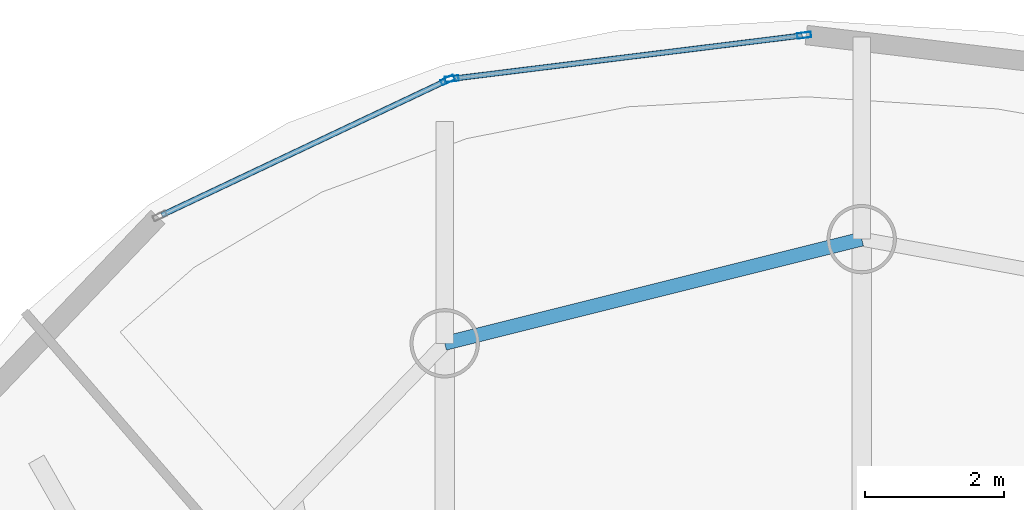
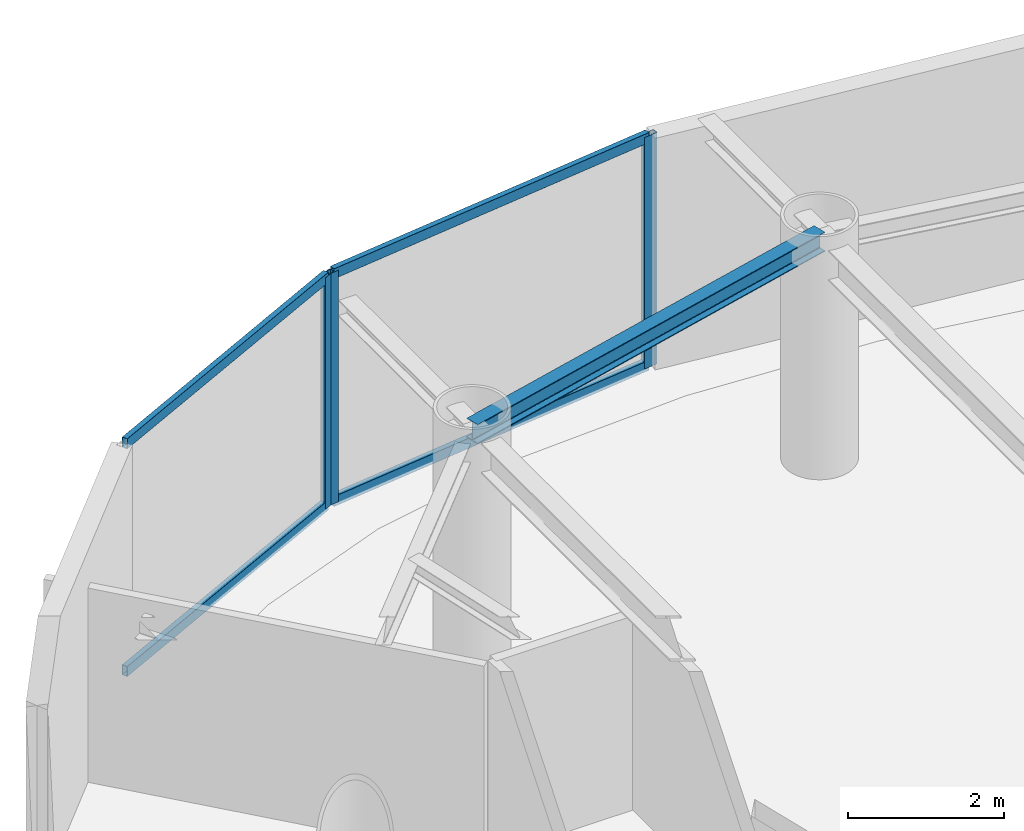
# One storey, part 12 of 21: 7 members, 1 beam, 2 elements without a shape of their own.
"""IFC4 building model written with IfcOpenShell, lengths in metres."""

from ifc_helpers import new_model, si_unit, direction, frame, origin, origin_2d, place, context, subcontext, project, spatial, hollow_rectangle, i_section, extrude, material, layer, layer_set, material_profile, profile_set, type_object, element, aggregate, save


model = new_model("IFC4")

# Units and contexts
model_context = context("Model", 3, precision=1e-05, world=origin(), true_north=direction((0.0, 1.0)))
body_context = subcontext(model_context, "Body", "Model", "MODEL_VIEW")
ifc_project = project(units=[si_unit("LENGTHUNIT", "METRE"), si_unit("AREAUNIT", "SQUARE_METRE"), si_unit("VOLUMEUNIT", "CUBIC_METRE"), si_unit("PLANEANGLEUNIT", "RADIAN"), si_unit("MASSUNIT", "GRAM", prefix="KILO")], contexts=[model_context])

# Site, building, storey
site_placement = place(None, origin())
site = spatial("IfcSite", under=ifc_project, at=site_placement, CompositionType="ELEMENT")
building_placement = place(site_placement, origin())
building = spatial("IfcBuilding", under=site, at=building_placement, Name="Bramvorn Convention Spire", CompositionType="ELEMENT")
storey_placement = place(building_placement, frame((0.0, 0.0, 249.75)))
storey = spatial("IfcBuildingStorey", under=building, at=storey_placement, Name="L63", CompositionType="ELEMENT", Elevation=249.75)

# Beam
ifc_material_1 = material(Name="Steel CSA G40.21 Grade 350 (350W)", Category="steel")
ifc_material_profile_1 = material_profile(ifc_material_1, i_section(OverallWidth=0.202880859375, OverallDepth=0.302978515625, WebThickness=0.007568359375, FlangeThickness=0.01318359375, FilletRadius=0.013916015625, at=origin_2d()))
ifc_profile_set_1 = profile_set([ifc_material_profile_1], Name="Steel CSA G40.21 Grade 350 (350W) - W310X60")
beam_type = type_object("IfcBeamType", Name="BM-W310X60", PredefinedType="JOIST", material=ifc_profile_set_1)
beam_placement = place(storey_placement, frame((32.8115234375, 46.90087890625, 3.473388671875), z_axis=(-0.970177255997, -0.24239655927, 0.0), x_axis=(0.24239655927, -0.970177255997, 0.0)))
element("IfcBeam", 1, at=beam_placement, inside=storey, type_object=beam_type, Name="L63 mega-column ring beam 08", PredefinedType="JOIST", context=body_context, shape_type="SweptSolid", body=[
    extrude(i_section(OverallWidth=0.202880859375, OverallDepth=0.302978515625, WebThickness=0.007568359375, FlangeThickness=0.01318359375, FilletRadius=0.013916015625, at=origin_2d()), origin(), (0.0, 0.0, 1.0), 6.1962890625),
])

# Curtain wall, members
ifc_material_2 = material(Name="Anodised Bronze Unitised Curtain Wall", Category="aluminium")
ifc_layer = layer(ifc_material_2, 0.179931640625)
ifc_layer_set = layer_set([ifc_layer], Name="Anodised Bronze Unitised Curtain Wall - CW-OFF-FRIT")
curtain_wall_type = type_object("IfcCurtainWallType", Name="CW-OFF-FRIT", PredefinedType="USERDEFINED", material=ifc_layer_set)
curtain_wall_1_placement = place(storey_placement, origin())
curtain_wall_1 = element("IfcCurtainWall", 2, at=curtain_wall_1_placement, inside=storey, type_object=curtain_wall_type, Name="L63 fritted glass curtain wall 11", ObjectType="UNITISED CURTAIN WALL", PredefinedType="USERDEFINED")
ifc_material_3 = material(Name="Anodised Bronze Aluminium 6063-T6", Category="aluminium")
ifc_material_profile_2 = material_profile(ifc_material_3, hollow_rectangle(XDim=0.080078125, YDim=0.199951171875, WallThickness=0.00390625, InnerFilletRadius=0.0009765625, OuterFilletRadius=0.00390625, at=origin_2d()))
ifc_profile_set_2 = profile_set([ifc_material_profile_2], Name="Anodised Bronze Aluminium 6063-T6 - CWM80X200")
member_type_1 = type_object("IfcMemberType", Name="CW-MUL-180", PredefinedType="MULLION", material=ifc_profile_set_2)
member_1_placement = place(storey_placement, frame((26.9013671875, 49.211669921875, 0.0), z_axis=(0.0, 0.0, 1.0), x_axis=(-0.122663454134, 0.992448324609, 0.0)))
member_1 = element("IfcMember", 3, at=member_1_placement, type_object=member_type_1, Name="CW3 mullion 1", PredefinedType="MULLION", context=body_context, shape_type="SweptSolid", body=[
    extrude(hollow_rectangle(XDim=0.080078125, YDim=0.199951171875, WallThickness=0.00390625, InnerFilletRadius=0.0009765625, OuterFilletRadius=0.00390625, at=origin_2d()), origin(), (0.0, 0.0, 1.0), 3.625),
])
member_2_placement = place(storey_placement, frame((31.98193359375, 49.839599609375, 0.0), z_axis=(0.0, 0.0, 1.0), x_axis=(-0.122663454134, 0.992448324609, 0.0)))
member_2 = element("IfcMember", 4, at=member_2_placement, type_object=member_type_1, Name="CW3 mullion 2", PredefinedType="MULLION", context=body_context, shape_type="SweptSolid", body=[
    extrude(hollow_rectangle(XDim=0.080078125, YDim=0.199951171875, WallThickness=0.00390625, InnerFilletRadius=0.0009765625, OuterFilletRadius=0.00390625, at=origin_2d()), origin(), (0.0, 0.0, 1.0), 3.625),
])

# Curtain wall, member
curtain_wall_2_placement = place(storey_placement, origin())
curtain_wall_2 = element("IfcCurtainWall", 5, at=curtain_wall_2_placement, inside=storey, type_object=curtain_wall_type, Name="L63 fritted glass curtain wall 12", ObjectType="UNITISED CURTAIN WALL", PredefinedType="USERDEFINED")
member_3_placement = place(storey_placement, frame((26.844482421875, 49.195068359375, 0.0), z_axis=(0.0, 0.0, 1.0), x_axis=(-0.427408695539, 0.904058519664, 0.0)))
member_3 = element("IfcMember", 6, at=member_3_placement, type_object=member_type_1, Name="CW3 mullion 2", PredefinedType="MULLION", context=body_context, shape_type="SweptSolid", body=[
    extrude(hollow_rectangle(XDim=0.080078125, YDim=0.199951171875, WallThickness=0.00390625, InnerFilletRadius=0.0009765625, OuterFilletRadius=0.00390625, at=origin_2d()), origin(), (0.0, 0.0, 1.0), 3.625),
])

# Member
ifc_material_profile_3 = material_profile(ifc_material_3, hollow_rectangle(XDim=0.080078125, YDim=0.159912109375, WallThickness=0.00390625, InnerFilletRadius=0.0009765625, OuterFilletRadius=0.00390625, at=origin_2d()))
ifc_profile_set_3 = profile_set([ifc_material_profile_3], Name="Anodised Bronze Aluminium 6063-T6 - CWT80X160")
member_type_2 = type_object("IfcMemberType", Name="CW-TRN-150", PredefinedType="USERDEFINED", material=ifc_profile_set_3)
member_4_placement = place(storey_placement, frame((26.93115234375, 49.21533203125, 0.030029296875), z_axis=(0.99244769097, 0.122668580689, 0.0), x_axis=(-0.122668580689, 0.99244769097, 0.0)))
member_4 = element("IfcMember", 7, at=member_4_placement, type_object=member_type_2, Name="CW3 transom 1.1", ObjectType="TRANSOM", PredefinedType="USERDEFINED", context=body_context, shape_type="SweptSolid", body=[
    extrude(hollow_rectangle(XDim=0.080078125, YDim=0.159912109375, WallThickness=0.00390625, InnerFilletRadius=0.0009765625, OuterFilletRadius=0.00390625, at=origin_2d()), origin(), (0.0, 0.0, 1.0), 5.059326171875),
])

member_5_placement = place(storey_placement, frame((26.93115234375, 49.21533203125, 3.594970703125), z_axis=(0.99244769097, 0.122668580689, 0.0), x_axis=(-0.122668580689, 0.99244769097, 0.0)))
member_5 = element("IfcMember", 8, at=member_5_placement, type_object=member_type_2, Name="CW3 transom 1.2", ObjectType="TRANSOM", PredefinedType="USERDEFINED", context=body_context, shape_type="SweptSolid", body=[
    extrude(hollow_rectangle(XDim=0.080078125, YDim=0.159912109375, WallThickness=0.00390625, InnerFilletRadius=0.0009765625, OuterFilletRadius=0.00390625, at=origin_2d()), origin(), (0.0, 0.0, 1.0), 5.059326171875),
])

aggregate(curtain_wall_1, [member_1, member_2, member_4, member_5])

member_6_placement = place(storey_placement, frame((22.721435546875, 47.245849609375, 0.030029296875), z_axis=(0.904050308942, 0.427426062498, 0.0), x_axis=(-0.427426062498, 0.904050308942, 0.0)))
member_6 = element("IfcMember", 9, at=member_6_placement, type_object=member_type_2, Name="CW3 transom 1.1", ObjectType="TRANSOM", PredefinedType="USERDEFINED", context=body_context, shape_type="SweptSolid", body=[
    extrude(hollow_rectangle(XDim=0.080078125, YDim=0.159912109375, WallThickness=0.00390625, InnerFilletRadius=0.0009765625, OuterFilletRadius=0.00390625, at=origin_2d()), origin(), (0.0, 0.0, 1.0), 4.53076171875),
])

member_7_placement = place(storey_placement, frame((22.721435546875, 47.245849609375, 3.594970703125), z_axis=(0.904050308942, 0.427426062498, 0.0), x_axis=(-0.427426062498, 0.904050308942, 0.0)))
member_7 = element("IfcMember", 10, at=member_7_placement, type_object=member_type_2, Name="CW3 transom 1.2", ObjectType="TRANSOM", PredefinedType="USERDEFINED", context=body_context, shape_type="SweptSolid", body=[
    extrude(hollow_rectangle(XDim=0.080078125, YDim=0.159912109375, WallThickness=0.00390625, InnerFilletRadius=0.0009765625, OuterFilletRadius=0.00390625, at=origin_2d()), origin(), (0.0, 0.0, 1.0), 4.53076171875),
])

aggregate(curtain_wall_2, [member_3, member_6, member_7])

save(model, "model.ifc")
